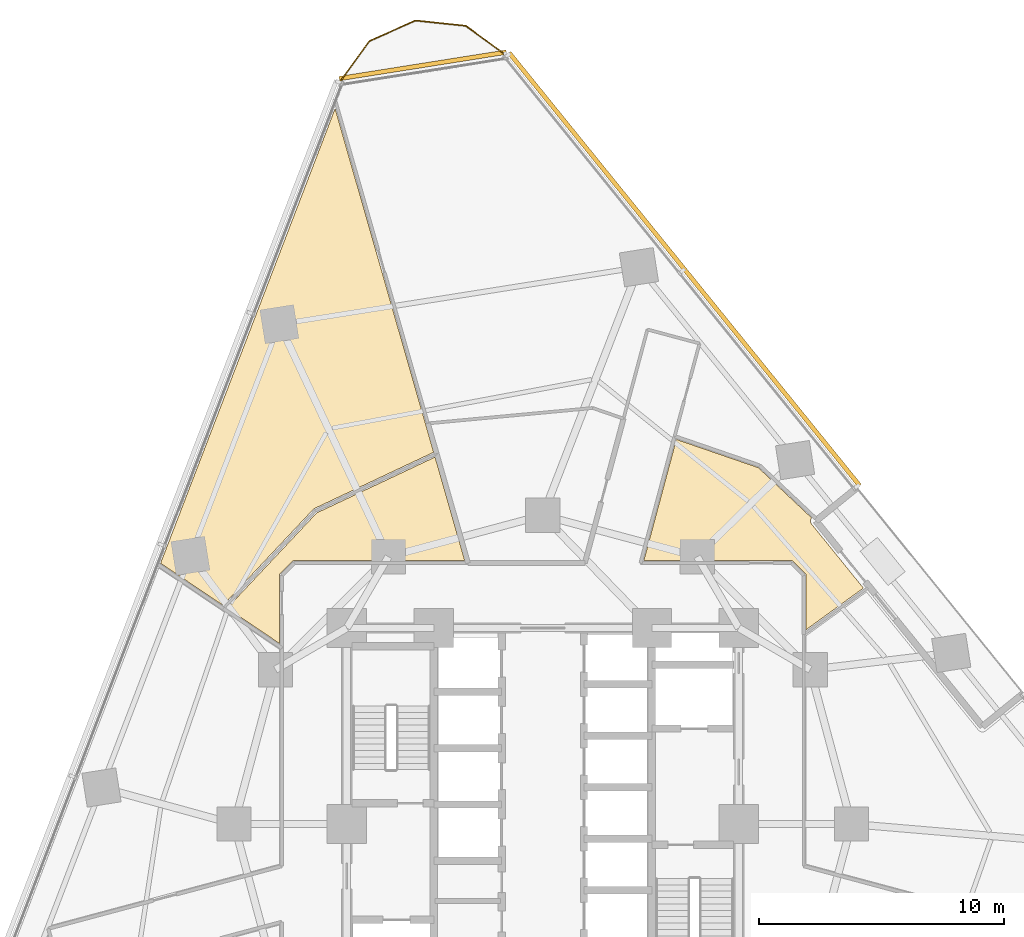
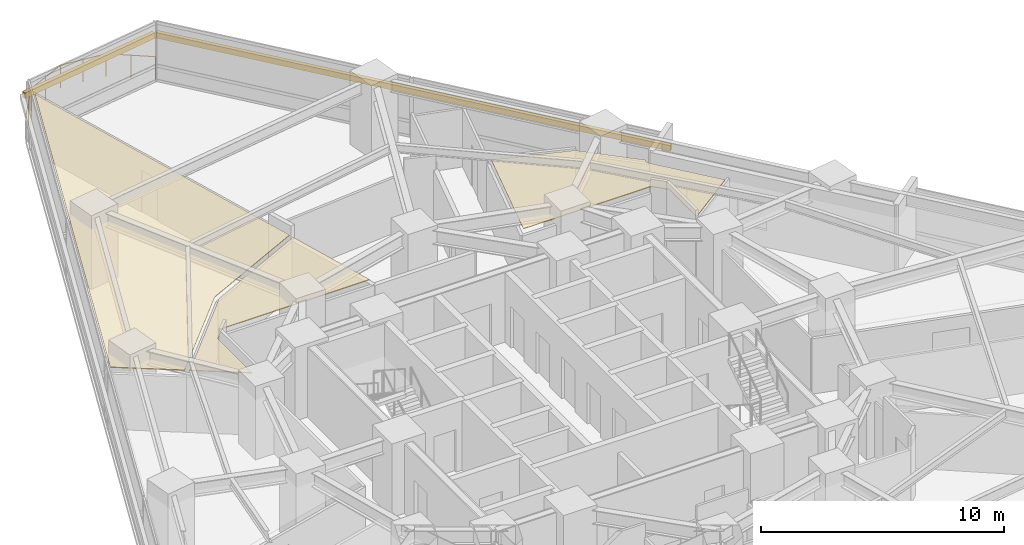
# One storey, part 14 of 14: 3 coverings, 2 shading devices, 1 railing.
"""IFC4 building model written with IfcOpenShell, lengths in metres."""

from ifc_helpers import new_model, si_unit, direction, frame, origin, origin_2d, place, context, subcontext, project, spatial, polyline, rectangle, circle, outline, extrude, material, layer, layer_set, type_object, element, save


model = new_model("IFC4")

# Units and contexts
model_context = context("Model", 3, precision=1e-05, world=origin(), true_north=direction((0.0, 1.0)))
body_context = subcontext(model_context, "Body", "Model", "MODEL_VIEW")
ifc_project = project(units=[si_unit("LENGTHUNIT", "METRE"), si_unit("AREAUNIT", "SQUARE_METRE"), si_unit("VOLUMEUNIT", "CUBIC_METRE"), si_unit("PLANEANGLEUNIT", "RADIAN"), si_unit("MASSUNIT", "GRAM", prefix="KILO")], contexts=[model_context])

# Site, building, storey
site_placement = place(None, origin())
site = spatial("IfcSite", under=ifc_project, at=site_placement, CompositionType="ELEMENT")
building_placement = place(site_placement, origin())
building = spatial("IfcBuilding", under=site, at=building_placement, Name="Terralouvre Media Tower", CompositionType="ELEMENT")
storey_placement = place(building_placement, frame((0.0, 0.0, 63.0)))
storey = spatial("IfcBuildingStorey", under=building, at=storey_placement, Name="L15", CompositionType="ELEMENT", Elevation=63.0)

# Coverings
ifc_material_1 = material(Name="Perforated aluminium acoustic ceiling baffle", Category="aluminium")
ifc_layer_1 = layer(ifc_material_1, 0.0400390625, Name="Perforated Acoustic Metal Tile Ceiling CL-AC1")
ifc_layer_set_1 = layer_set([ifc_layer_1], Name="Perforated aluminium acoustic ceiling baffle")
covering_type = type_object("IfcCoveringType", Name="Perforated Acoustic Metal Tile Ceiling CL-AC1", PredefinedType="CEILING", material=ifc_layer_set_1)
covering_1_placement = place(storey_placement, frame((0.0, 0.0, 2.97998046875), z_axis=(0.0, 0.0, 1.0), x_axis=(0.987688340595, 0.15643446504, 0.0)))
element("IfcCovering", 1, at=covering_1_placement, inside=storey, type_object=covering_type, Name="L15 Staff Quiet Reading Club 3 Acoustic Ceiling", PredefinedType="CEILING", context=body_context, shape_type="SweptSolid", body=[
    extrude(outline(polyline([(7.83740234375, 14.65185546875), (5.753173828125, 9.972900390625), (11.706787109375, 9.02978515625), (11.71630859375, 9.02783203125), (11.7255859375, 9.02490234375), (11.734619140625, 9.02099609375), (11.743408203125, 9.016357421875), (11.75146484375, 9.0107421875), (11.759033203125, 9.00439453125), (11.765869140625, 8.99755859375), (11.77197265625, 8.98974609375), (12.1875, 8.417724609375), (12.19287109375, 8.409423828125), (12.197509765625, 8.40087890625), (12.201171875, 8.391845703125), (12.203857421875, 8.38232421875), (12.205810546875, 8.372802734375), (12.20654296875, 8.363037109375), (12.20654296875, 8.35302734375), (12.20556640625, 8.34326171875), (11.85888671875, 6.155029296875), (14.429443359375, 7.464599609375), (12.75390625, 10.365478515625), (12.75048828125, 10.371826171875), (12.7451171875, 10.3828125), (12.742431640625, 10.38916015625), (12.738037109375, 10.39990234375), (12.73486328125, 10.408935546875), (12.732421875, 10.418212890625), (12.72802734375, 10.441162109375), (12.726806640625, 10.449462890625), (12.7255859375, 10.460693359375), (12.72509765625, 10.470947265625), (12.724853515625, 10.483154296875), (12.72509765625, 10.4912109375), (12.72607421875, 10.49951171875), (12.72998046875, 10.523193359375), (12.731689453125, 10.531982421875), (12.734375, 10.54052734375), (12.738037109375, 10.551025390625), (12.740478515625, 10.55712890625), (12.7451171875, 10.568603515625), (12.749755859375, 10.577880859375), (12.75537109375, 10.588134765625), (12.761474609375, 10.597900390625), (12.76806640625, 10.60693359375), (12.772705078125, 10.613037109375), (12.7802734375, 10.621826171875), (12.784912109375, 10.627197265625), (12.786376953125, 10.628662109375), (10.964111328125, 12.9892578125), (7.83740234375, 14.65185546875)])), origin(), (0.0, 0.0, 1.0), 0.0400390625),
])
covering_2_placement = place(storey_placement, frame((0.0, 0.0, 2.97998046875), z_axis=(0.0, 0.0, 1.0), x_axis=(0.987688340595, 0.15643446504, 0.0)))
element("IfcCovering", 2, at=covering_2_placement, inside=storey, type_object=covering_type, Name="L15 Product Roadmap Huddle Room 9 Acoustic Ceiling", PredefinedType="CEILING", context=body_context, shape_type="SweptSolid", body=[
    extrude(outline(polyline([(-7.234375, 14.156494140625), (-7.2265625, 14.161865234375), (-7.218505859375, 14.16650390625), (-7.2099609375, 14.17041015625), (-7.201171875, 14.17333984375), (-2.0263671875, 15.682373046875), (-2.172607421875, 16.87109375), (-3.804443359375, 30.166748046875), (-13.7431640625, 12.95263671875), (-11.49560546875, 10.857421875), (-7.234375, 14.156494140625)])), origin(), (0.0, 0.0, 1.0), 0.0400390625),
])
covering_3_placement = place(storey_placement, frame((0.0, 0.0, 2.97998046875), z_axis=(0.0, 0.0, 1.0), x_axis=(0.987688340595, 0.15643446504, 0.0)))
element("IfcCovering", 3, at=covering_3_placement, inside=storey, type_object=covering_type, Name="L15 QA Testing Workspace 10 Acoustic Ceiling", PredefinedType="CEILING", context=body_context, shape_type="SweptSolid", body=[
    extrude(outline(polyline([(-7.126953125, 13.98681640625), (-11.347412109375, 10.71923828125), (-9.46435546875, 8.962890625), (-9.02978515625, 11.706787109375), (-9.02783203125, 11.71630859375), (-9.02490234375, 11.7255859375), (-9.02099609375, 11.734619140625), (-9.016357421875, 11.743408203125), (-9.0107421875, 11.75146484375), (-9.00439453125, 11.759033203125), (-8.99755859375, 11.765869140625), (-8.98974609375, 11.77197265625), (-8.417724609375, 12.1875), (-8.409423828125, 12.19287109375), (-8.40087890625, 12.197509765625), (-8.391845703125, 12.201171875), (-8.38232421875, 12.203857421875), (-8.372802734375, 12.205810546875), (-8.363037109375, 12.20654296875), (-8.35302734375, 12.20654296875), (-8.34326171875, 12.20556640625), (-1.4658203125, 11.1162109375), (-2.00146484375, 15.481201171875), (-7.126953125, 13.98681640625)])), origin(), (0.0, 0.0, 1.0), 0.0400390625),
])

# Railing
ifc_material_2 = material(Name="Stainless steel 316 handrail and balustrade", Category="steel")
ifc_layer_2 = layer(ifc_material_2, 0.06005859375, Name="Roof Edge Safety Guardrail GR-ROOF1")
ifc_layer_set_2 = layer_set([ifc_layer_2], Name="Stainless steel 316 handrail and balustrade")
railing_type = type_object("IfcRailingType", Name="Roof Edge Safety Guardrail GR-ROOF1", PredefinedType="GUARDRAIL", material=ifc_layer_set_2)
railing_placement = place(storey_placement, frame((-1.47998046875, 31.36669921875, 0.0)))
element("IfcRailing", 4, at=railing_placement, inside=storey, type_object=railing_type, Name="L15 Wind-Corner Perimeter Safety Guardrail C2", PredefinedType="GUARDRAIL", context=body_context, shape_type="SweptSolid", body=[
    extrude(circle(Radius=0.02099609375, at=origin_2d()), frame((0.0, 0.0, 1.12890625), z_axis=(-0.808843708148, 0.588023686419, 0.0), x_axis=(-0.588023686419, -0.808843708148, 0.0)), (0.0, 0.0, 1.0), 2.059814453125),
    extrude(circle(Radius=0.02099609375, at=origin_2d()), frame((-1.666015625, 1.211181640625, 1.12890625), z_axis=(-0.994517140727, 0.104573690763, 0.0), x_axis=(-0.104573690763, -0.994517140727, 0.0)), (0.0, 0.0, 1.0), 2.05908203125),
    extrude(circle(Radius=0.02099609375, at=origin_2d()), frame((-3.7138671875, 1.426513671875, 1.12890625), z_axis=(-0.913542473205, -0.406743346167, 0.0), x_axis=(0.406743346167, -0.913542473205, 0.0)), (0.0, 0.0, 1.0), 2.059326171875),
    extrude(circle(Radius=0.02099609375, at=origin_2d()), frame((-5.59521484375, 0.5888671875, 1.12890625), z_axis=(-0.587544282361, -0.80919201446, 0.0), x_axis=(0.80919201446, -0.587544282361, 0.0)), (0.0, 0.0, 1.0), 2.059814453125),
    extrude(circle(Radius=0.01904296875, at=origin_2d()), origin(), (0.0, 0.0, 1.0), 1.10791015625),
    extrude(circle(Radius=0.01904296875, at=origin_2d()), frame((-0.8330078125, 0.60546875, 0.0)), (0.0, 0.0, 1.0), 1.10791015625),
    extrude(circle(Radius=0.01904296875, at=origin_2d()), frame((-1.666015625, 1.211181640625, 0.0)), (0.0, 0.0, 1.0), 1.10791015625),
    extrude(circle(Radius=0.01904296875, at=origin_2d()), frame((-2.68994140625, 1.31884765625, 0.0)), (0.0, 0.0, 1.0), 1.10791015625),
    extrude(circle(Radius=0.01904296875, at=origin_2d()), frame((-3.7138671875, 1.426513671875, 0.0)), (0.0, 0.0, 1.0), 1.10791015625),
    extrude(circle(Radius=0.01904296875, at=origin_2d()), frame((-4.654541015625, 1.0078125, 0.0)), (0.0, 0.0, 1.0), 1.10791015625),
    extrude(circle(Radius=0.01904296875, at=origin_2d()), frame((-5.59521484375, 0.5888671875, 0.0)), (0.0, 0.0, 1.0), 1.10791015625),
    extrude(circle(Radius=0.01904296875, at=origin_2d()), frame((-6.2001953125, -0.24462890625, 0.0)), (0.0, 0.0, 1.0), 1.10791015625),
    extrude(circle(Radius=0.01904296875, at=origin_2d()), frame((-6.805419921875, -1.077880859375, 0.0)), (0.0, 0.0, 1.0), 1.10791015625),
])

# Shading devices
ifc_material_3 = material(Name="Extruded terracotta baguette sunshade louvres", Category="masonry")
shading_device_type = type_object("IfcShadingDeviceType", Name="Terracotta Baguette Sunshade Louvre Screen TB-LV1", PredefinedType="USERDEFINED", material=ifc_material_3)
shading_device_1_placement = place(storey_placement, frame((5.77734375, 22.6416015625, 2.02392578125), z_axis=(0.0, 0.0, 1.0), x_axis=(-0.629320595049, 0.777145796262, 0.0)))
element("IfcShadingDevice", 5, at=shading_device_1_placement, inside=storey, type_object=shading_device_type, Name="CW-L15-F1R Terracotta Baguette Sunshade Louvre", ObjectType="BAGUETTE", PredefinedType="USERDEFINED", context=body_context, shape_type="SweptSolid", body=[
    extrude(rectangle(XDim=22.719970703125, YDim=0.179931640625, at=origin_2d()), origin(), (0.0, 0.0, 1.0), 0.280029296875),
])
shading_device_2_placement = place(storey_placement, frame((-4.90380859375, 30.961181640625, 2.02392578125), z_axis=(0.0, 0.0, 1.0), x_axis=(-0.987688353034, -0.156434386502, 0.0)))
element("IfcShadingDevice", 6, at=shading_device_2_placement, inside=storey, type_object=shading_device_type, Name="CW-L15-C2 Terracotta Baguette Sunshade Louvre", ObjectType="BAGUETTE", PredefinedType="USERDEFINED", context=body_context, shape_type="SweptSolid", body=[
    extrude(rectangle(XDim=6.8935546875, YDim=0.179931640625, at=origin_2d()), origin(), (0.0, 0.0, 1.0), 0.280029296875),
])

save(model, "model.ifc")
